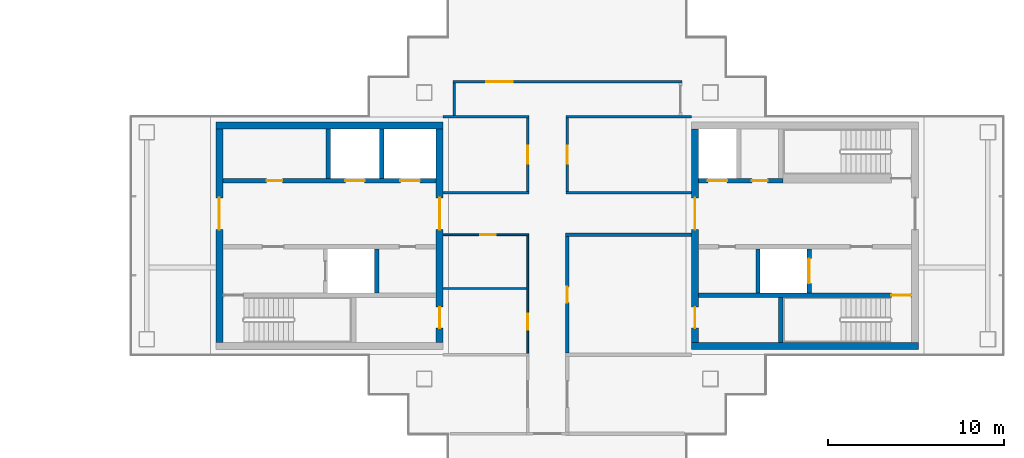
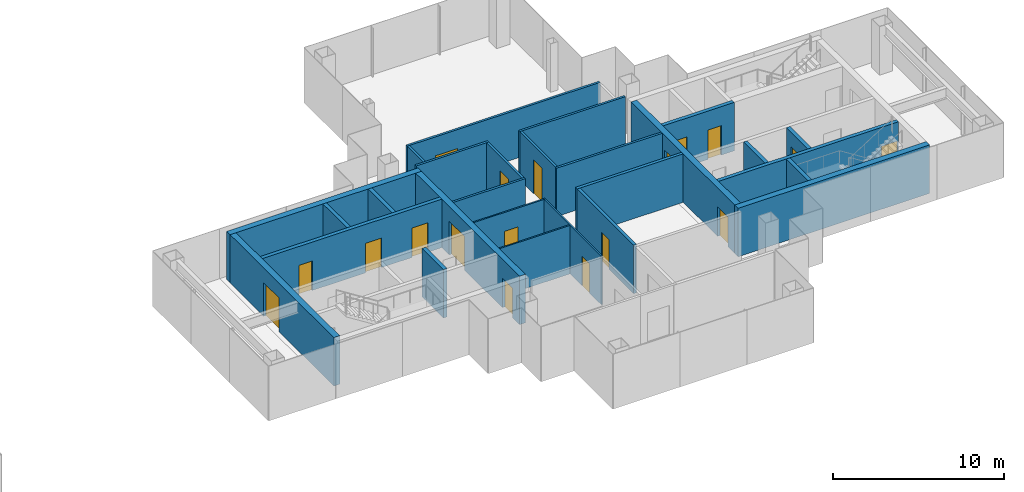
# One storey, part 11 of 15: 27 walls, 18 doors, 18 openings.
"""IFC4 building model written with IfcOpenShell, lengths in metres."""

from ifc_helpers import new_model, si_unit, direction, frame, frame_2d, origin, place, context, subcontext, project, spatial, rectangle, extrude, material, layer, layer_set, type_object, element, fill, save


model = new_model("IFC4")

# Units and contexts
model_context = context("Model", 3, precision=1e-05, world=origin(), true_north=direction((0.0, 1.0)))
body_context = subcontext(model_context, "Body", "Model", "MODEL_VIEW")
ifc_project = project(units=[si_unit("LENGTHUNIT", "METRE"), si_unit("AREAUNIT", "SQUARE_METRE"), si_unit("VOLUMEUNIT", "CUBIC_METRE"), si_unit("PLANEANGLEUNIT", "RADIAN"), si_unit("MASSUNIT", "GRAM", prefix="KILO")], contexts=[model_context])

# Site, building, storey
site_placement = place(None, origin())
site = spatial("IfcSite", under=ifc_project, at=site_placement, CompositionType="ELEMENT")
building_placement = place(site_placement, origin())
building = spatial("IfcBuilding", under=site, at=building_placement, Name="Shamsa Quay Exchange Towers", CompositionType="ELEMENT")
storey_placement = place(building_placement, frame((0.0, 0.0, 269.39990234375)))
storey = spatial("IfcBuildingStorey", under=building, at=storey_placement, Name="L65", CompositionType="ELEMENT", Elevation=269.39990234375)

# Wall
ifc_material_1 = material(Name="Concrete C60/75", Category="concrete")
ifc_layer_1 = layer(ifc_material_1, 0.39990234375)
ifc_layer_set_1 = layer_set([ifc_layer_1], Name="CORE WALL 400 C60/75")
wall_type_1 = type_object("IfcWallType", Name="CORE WALL 400 C60/75", PredefinedType="SHEAR", material=ifc_layer_set_1)
wall_1_placement = place(storey_placement, frame((13.800048828125, 6.25, 0.0)))
element("IfcWall", 1, at=wall_1_placement, inside=storey, type_object=wall_type_1, Name="Core wall T2A-R30-PN", PredefinedType="SHEAR", context=body_context, shape_type="SweptSolid", body=[
    extrude(rectangle(XDim=12.89990234375, YDim=0.39990234375, at=frame_2d((6.449951171875, 0.0))), origin(), (0.0, 0.0, 1.0), 3.4501953125),
])

# Wall, opening, door
wall_2_placement = place(storey_placement, frame((14.0, 6.050048828125, 0.0), z_axis=(0.0, 0.0, 1.0), x_axis=(0.0, -1.0, 0.0)))
wall_2 = element("IfcWall", 2, at=wall_2_placement, inside=storey, type_object=wall_type_1, Name="Core wall T2A-R30-PF", PredefinedType="SHEAR", context=body_context, shape_type="SweptSolid", body=[
    extrude(rectangle(XDim=12.10009765625, YDim=0.39990234375, at=frame_2d((6.050048828125, 0.0))), origin(), (0.0, 0.0, 1.0), 3.4501953125),
])
opening_1_placement = place(wall_2_placement, frame((3.89990234375, 0.0, 0.0)))
opening_1 = element("IfcOpeningElement", 3, at=opening_1_placement, cuts=wall_2, Name="Opening T2A-R30-LBD01", PredefinedType="OPENING", context=body_context, shape_type="SweptSolid", body=[
    extrude(rectangle(XDim=1.800048828125, YDim=2.39990234375, at=frame_2d((0.89990234375, 1.199951171875))), frame((0.0, 0.2099609375, 0.0), z_axis=(0.0, -1.0, 0.0), x_axis=(1.0, 0.0, 0.0)), (0.0, 0.0, 1.0), 0.419921875),
])
ifc_material_2 = material(Name="Steel, fire rated", Category="steel")
door_type_1 = type_object("IfcDoorType", Name="LIFT LOBBY DOOR PAIR 1800", OperationType="DOUBLE_DOOR_SINGLE_SWING", PredefinedType="DOOR", material=ifc_material_2)
door_1_placement = place(opening_1_placement, origin())
door_1 = element("IfcDoor", 4, at=door_1_placement, inside=storey, type_object=door_type_1, Name="T2A-R30-LBD01", OperationType="DOUBLE_DOOR_SINGLE_SWING", OverallHeight=2.39990234375, OverallWidth=1.800048828125, PredefinedType="DOOR", context=body_context, shape_type="SweptSolid", body=[
    extrude(rectangle(XDim=1.800048828125, YDim=2.39990234375, at=frame_2d((0.89990234375, 1.199951171875))), frame((0.0, 0.02490234375, 0.0), z_axis=(0.0, -1.0, 0.0), x_axis=(1.0, 0.0, 0.0)), (0.0, 0.0, 1.0), 0.050048828125),
])
fill(opening_1, door_1)

# Wall, openings, doors
wall_3_placement = place(storey_placement, frame((26.5, 6.050048828125, 0.0), z_axis=(0.0, 0.0, 1.0), x_axis=(0.0, -1.0, 0.0)))
wall_3 = element("IfcWall", 5, at=wall_3_placement, inside=storey, type_object=wall_type_1, Name="Core wall T2A-R30-PB", PredefinedType="SHEAR", context=body_context, shape_type="SweptSolid", body=[
    extrude(rectangle(XDim=12.10009765625, YDim=0.39990234375, at=frame_2d((6.050048828125, 0.0))), origin(), (0.0, 0.0, 1.0), 3.4501953125),
])
opening_2_placement = place(wall_3_placement, frame((10.10009765625, 0.0, 0.0)))
opening_2 = element("IfcOpeningElement", 6, at=opening_2_placement, cuts=wall_3, Name="Opening T2A-R30-RD02", PredefinedType="OPENING", context=body_context, shape_type="SweptSolid", body=[
    extrude(rectangle(XDim=1.199951171875, YDim=2.10009765625, at=frame_2d((0.60009765625, 1.050048828125))), frame((0.0, 0.2099609375, 0.0), z_axis=(0.0, -1.0, 0.0), x_axis=(1.0, 0.0, 0.0)), (0.0, 0.0, 1.0), 0.419921875),
])
opening_3_placement = place(wall_3_placement, frame((3.89990234375, 0.0, 0.0)))
opening_3 = element("IfcOpeningElement", 7, at=opening_3_placement, cuts=wall_3, Name="Opening T2A-R30-LBD03", PredefinedType="OPENING", context=body_context, shape_type="SweptSolid", body=[
    extrude(rectangle(XDim=1.800048828125, YDim=2.39990234375, at=frame_2d((0.89990234375, 1.199951171875))), frame((0.0, 0.2099609375, 0.0), z_axis=(0.0, -1.0, 0.0), x_axis=(1.0, 0.0, 0.0)), (0.0, 0.0, 1.0), 0.419921875),
])
door_2_placement = place(opening_3_placement, origin())
door_2 = element("IfcDoor", 8, at=door_2_placement, inside=storey, type_object=door_type_1, Name="T2A-R30-LBD03", OperationType="DOUBLE_DOOR_SINGLE_SWING", OverallHeight=2.39990234375, OverallWidth=1.800048828125, PredefinedType="DOOR", context=body_context, shape_type="SweptSolid", body=[
    extrude(rectangle(XDim=1.800048828125, YDim=2.39990234375, at=frame_2d((0.89990234375, 1.199951171875))), frame((0.0, 0.02490234375, 0.0), z_axis=(0.0, -1.0, 0.0), x_axis=(1.0, 0.0, 0.0)), (0.0, 0.0, 1.0), 0.050048828125),
])
fill(opening_3, door_2)
door_type_2 = type_object("IfcDoorType", Name="RISER ACCESS DOOR 1200", OperationType="SINGLE_SWING_LEFT", PredefinedType="DOOR", material=ifc_material_2)
door_3_placement = place(opening_2_placement, origin())
door_3 = element("IfcDoor", 9, at=door_3_placement, inside=storey, type_object=door_type_2, Name="T2A-R30-RD02", OperationType="SINGLE_SWING_RIGHT", OverallHeight=2.10009765625, OverallWidth=1.199951171875, PredefinedType="DOOR", context=body_context, shape_type="SweptSolid", body=[
    extrude(rectangle(XDim=1.199951171875, YDim=2.10009765625, at=frame_2d((0.60009765625, 1.050048828125))), frame((0.0, 0.02490234375, 0.0), z_axis=(0.0, -1.0, 0.0), x_axis=(1.0, 0.0, 0.0)), (0.0, 0.0, 1.0), 0.050048828125),
])
fill(opening_2, door_3)

# Wall
wall_4_placement = place(storey_placement, frame((53.699951171875, -6.25, 0.0), z_axis=(0.0, 0.0, 1.0), x_axis=(-1.0, 0.0, 0.0)))
element("IfcWall", 10, at=wall_4_placement, inside=storey, type_object=wall_type_1, Name="Core wall T2B-R30-PS", PredefinedType="SHEAR", context=body_context, shape_type="SweptSolid", body=[
    extrude(rectangle(XDim=12.89990234375, YDim=0.39990234375, at=frame_2d((6.449951171875, 0.0))), origin(), (0.0, 0.0, 1.0), 3.4501953125),
])

# Wall, openings, doors
wall_5_placement = place(storey_placement, frame((41.0, -6.050048828125, 0.0), z_axis=(0.0, 0.0, 1.0), x_axis=(0.0, 1.0, 0.0)))
wall_5 = element("IfcWall", 11, at=wall_5_placement, inside=storey, type_object=wall_type_1, Name="Core wall T2B-R30-PB", PredefinedType="SHEAR", context=body_context, shape_type="SweptSolid", body=[
    extrude(rectangle(XDim=12.10009765625, YDim=0.39990234375, at=frame_2d((6.050048828125, 0.0))), origin(), (0.0, 0.0, 1.0), 3.4501953125),
])
opening_4_placement = place(wall_5_placement, frame((0.800048828125, 0.0, 0.0)))
opening_4 = element("IfcOpeningElement", 12, at=opening_4_placement, cuts=wall_5, Name="Opening T2B-R30-RD02", PredefinedType="OPENING", context=body_context, shape_type="SweptSolid", body=[
    extrude(rectangle(XDim=1.199951171875, YDim=2.10009765625, at=frame_2d((0.60009765625, 1.050048828125))), frame((0.0, 0.2099609375, 0.0), z_axis=(0.0, -1.0, 0.0), x_axis=(1.0, 0.0, 0.0)), (0.0, 0.0, 1.0), 0.419921875),
])
opening_5_placement = place(wall_5_placement, frame((6.39990234375, 0.0, 0.0)))
opening_5 = element("IfcOpeningElement", 13, at=opening_5_placement, cuts=wall_5, Name="Opening T2B-R30-LBD03", PredefinedType="OPENING", context=body_context, shape_type="SweptSolid", body=[
    extrude(rectangle(XDim=1.800048828125, YDim=2.39990234375, at=frame_2d((0.89990234375, 1.199951171875))), frame((0.0, 0.2099609375, 0.0), z_axis=(0.0, -1.0, 0.0), x_axis=(1.0, 0.0, 0.0)), (0.0, 0.0, 1.0), 0.419921875),
])
door_4_placement = place(opening_5_placement, origin())
door_4 = element("IfcDoor", 14, at=door_4_placement, inside=storey, type_object=door_type_1, Name="T2B-R30-LBD03", OperationType="DOUBLE_DOOR_SINGLE_SWING", OverallHeight=2.39990234375, OverallWidth=1.800048828125, PredefinedType="DOOR", context=body_context, shape_type="SweptSolid", body=[
    extrude(rectangle(XDim=1.800048828125, YDim=2.39990234375, at=frame_2d((0.89990234375, 1.199951171875))), frame((0.0, 0.02490234375, 0.0), z_axis=(0.0, -1.0, 0.0), x_axis=(1.0, 0.0, 0.0)), (0.0, 0.0, 1.0), 0.050048828125),
])
fill(opening_5, door_4)
door_5_placement = place(opening_4_placement, origin())
door_5 = element("IfcDoor", 15, at=door_5_placement, inside=storey, type_object=door_type_2, Name="T2B-R30-RD02", OperationType="SINGLE_SWING_LEFT", OverallHeight=2.10009765625, OverallWidth=1.199951171875, PredefinedType="DOOR", context=body_context, shape_type="SweptSolid", body=[
    extrude(rectangle(XDim=1.199951171875, YDim=2.10009765625, at=frame_2d((0.60009765625, 1.050048828125))), frame((0.0, 0.02490234375, 0.0), z_axis=(0.0, -1.0, 0.0), x_axis=(1.0, 0.0, 0.0)), (0.0, 0.0, 1.0), 0.050048828125),
])
fill(opening_4, door_5)

# Wall, opening, door
ifc_material_3 = material(Name="Gypsum board partition on metal studs")
ifc_layer_2 = layer(ifc_material_3, 0.10009765625)
ifc_layer_set_2 = layer_set([ifc_layer_2], Name="Partition 100 mm NOT RATED")
wall_type_2 = type_object("IfcWallType", Name="Partition 100 mm NOT RATED", PredefinedType="PARTITIONING", material=ifc_layer_set_2)
wall_6_placement = place(storey_placement, frame((31.5, -6.675048828125, 0.0), z_axis=(0.0, 0.0, 1.0), x_axis=(0.0, 1.0, 0.0)))
wall_6 = element("IfcWall", 16, at=wall_6_placement, inside=storey, type_object=wall_type_2, Name="Partition T2-R30-W07", PredefinedType="PARTITIONING", context=body_context, shape_type="SweptSolid", body=[
    extrude(rectangle(XDim=6.6748046875, YDim=0.10009765625, at=frame_2d((3.33740234375, 0.0))), origin(), (0.0, 0.0, 1.0), 3.4501953125),
])
opening_6_placement = place(wall_6_placement, frame((1.35009765625, 0.0, 0.0)))
opening_6 = element("IfcOpeningElement", 17, at=opening_6_placement, cuts=wall_6, Name="Opening T2-R30-D07", PredefinedType="OPENING", context=body_context, shape_type="SweptSolid", body=[
    extrude(rectangle(XDim=0.89990234375, YDim=2.10009765625, at=frame_2d((0.449951171875, 1.050048828125))), frame((0.0, 0.06005859375, 0.0), z_axis=(0.0, -1.0, 0.0), x_axis=(1.0, 0.0, 0.0)), (0.0, 0.0, 1.0), 0.1201171875),
])
ifc_material_4 = material(Name="Timber door leaf in a metal frame", Category="wood")
door_type_3 = type_object("IfcDoorType", Name="Door 900x2100 NOT RATED", OperationType="NOTDEFINED", PredefinedType="DOOR", material=ifc_material_4)
door_6_placement = place(opening_6_placement, origin())
door_6 = element("IfcDoor", 18, at=door_6_placement, inside=storey, type_object=door_type_3, Name="Door T2-R30-D07", OperationType="SINGLE_SWING_LEFT", OverallHeight=2.10009765625, OverallWidth=0.89990234375, PredefinedType="DOOR", context=body_context, shape_type="SweptSolid", body=[
    extrude(rectangle(XDim=0.89990234375, YDim=2.10009765625, at=frame_2d((0.449951171875, 1.050048828125))), frame((0.0, 0.02490234375, 0.0), z_axis=(0.0, -1.0, 0.0), x_axis=(1.0, 0.0, 0.0)), (0.0, 0.0, 1.0), 0.050048828125),
])
fill(opening_6, door_6)

wall_7_placement = place(storey_placement, frame((31.550048828125, 0.0498046875, 0.0), z_axis=(0.0, 0.0, 1.0), x_axis=(-1.0, 0.0, 0.0)))
wall_7 = element("IfcWall", 19, at=wall_7_placement, inside=storey, type_object=wall_type_2, Name="Partition T2-R30-W08", PredefinedType="PARTITIONING", context=body_context, shape_type="SweptSolid", body=[
    extrude(rectangle(XDim=4.85009765625, YDim=0.10009765625, at=frame_2d((2.425048828125, 0.0))), origin(), (0.0, 0.0, 1.0), 3.4501953125),
])
opening_7_placement = place(wall_7_placement, frame((1.85009765625, 0.0, 0.0)))
opening_7 = element("IfcOpeningElement", 20, at=opening_7_placement, cuts=wall_7, Name="Opening T2-R30-D10", PredefinedType="OPENING", context=body_context, shape_type="SweptSolid", body=[
    extrude(rectangle(XDim=0.89990234375, YDim=2.10009765625, at=frame_2d((0.449951171875, 1.050048828125))), frame((0.0, 0.06005859375, 0.0), z_axis=(0.0, -1.0, 0.0), x_axis=(1.0, 0.0, 0.0)), (0.0, 0.0, 1.0), 0.1201171875),
])
door_7_placement = place(opening_7_placement, origin())
door_7 = element("IfcDoor", 21, at=door_7_placement, inside=storey, type_object=door_type_3, Name="Door T2-R30-D10", OperationType="SINGLE_SWING_RIGHT", OverallHeight=2.10009765625, OverallWidth=0.89990234375, PredefinedType="DOOR", context=body_context, shape_type="SweptSolid", body=[
    extrude(rectangle(XDim=0.89990234375, YDim=2.10009765625, at=frame_2d((0.449951171875, 1.050048828125))), frame((0.0, 0.02490234375, 0.0), z_axis=(0.0, -1.0, 0.0), x_axis=(1.0, 0.0, 0.0)), (0.0, 0.0, 1.0), 0.050048828125),
])
fill(opening_7, door_7)

# Walls
wall_8_placement = place(storey_placement, frame((31.449951171875, -3.0, 0.0), z_axis=(0.0, 0.0, 1.0), x_axis=(-1.0, 0.0, 0.0)))
element("IfcWall", 22, at=wall_8_placement, inside=storey, type_object=wall_type_2, Name="Partition T2-R30-W17", PredefinedType="PARTITIONING", context=body_context, shape_type="SweptSolid", body=[
    extrude(rectangle(XDim=4.75, YDim=0.10009765625, at=frame_2d((2.375, 0.0))), origin(), (0.0, 0.0, 1.0), 3.4501953125),
])
ifc_layer_3 = layer(ifc_material_3, 0.14990234375)
ifc_layer_set_3 = layer_set([ifc_layer_3], Name="Partition 150 mm EI 60")
wall_type_3 = type_object("IfcWallType", Name="Partition 150 mm EI 60", PredefinedType="PARTITIONING", material=ifc_layer_set_3)
wall_9_placement = place(storey_placement, frame((31.574951171875, 6.75, 0.0), z_axis=(0.0, 0.0, 1.0), x_axis=(-1.0, 0.0, 0.0)))
element("IfcWall", 23, at=wall_9_placement, inside=storey, type_object=wall_type_3, Name="Partition T2-R30-W01", PredefinedType="PARTITIONING", context=body_context, shape_type="SweptSolid", body=[
    extrude(rectangle(XDim=4.875, YDim=0.14990234375, at=frame_2d((2.4375, 0.0))), origin(), (0.0, 0.0, 1.0), 3.4501953125),
])
wall_10_placement = place(storey_placement, frame((40.800048828125, 6.75, 0.0), z_axis=(0.0, 0.0, 1.0), x_axis=(-1.0, 0.0, 0.0)))
element("IfcWall", 24, at=wall_10_placement, inside=storey, type_object=wall_type_3, Name="Partition T2-R30-W02", PredefinedType="PARTITIONING", context=body_context, shape_type="SweptSolid", body=[
    extrude(rectangle(XDim=7.125, YDim=0.14990234375, at=frame_2d((3.5625, 0.0))), origin(), (0.0, 0.0, 1.0), 3.4501953125),
])

# Wall, opening, door
wall_11_placement = place(storey_placement, frame((31.5, 2.525146484375, 0.0), z_axis=(0.0, 0.0, 1.0), x_axis=(0.0, 1.0, 0.0)))
wall_11 = element("IfcWall", 25, at=wall_11_placement, inside=storey, type_object=wall_type_3, Name="Partition T2-R30-W03", PredefinedType="PARTITIONING", context=body_context, shape_type="SweptSolid", body=[
    extrude(rectangle(XDim=4.14990234375, YDim=0.14990234375, at=frame_2d((2.074951171875, 0.0))), origin(), (0.0, 0.0, 1.0), 3.4501953125),
])
opening_8_placement = place(wall_11_placement, frame((1.574951171875, 0.0, 0.0)))
opening_8 = element("IfcOpeningElement", 26, at=opening_8_placement, cuts=wall_11, Name="Opening T2-R30-D08", PredefinedType="OPENING", context=body_context, shape_type="SweptSolid", body=[
    extrude(rectangle(XDim=1.0, YDim=2.39990234375, at=frame_2d((0.5, 1.199951171875))), frame((0.0, 0.0849609375, 0.0), z_axis=(0.0, -1.0, 0.0), x_axis=(1.0, 0.0, 0.0)), (0.0, 0.0, 1.0), 0.169921875),
])
door_type_4 = type_object("IfcDoorType", Name="Door 1000x2400 FD30S", OperationType="NOTDEFINED", PredefinedType="DOOR", material=ifc_material_4)
door_8_placement = place(opening_8_placement, origin())
door_8 = element("IfcDoor", 27, at=door_8_placement, inside=storey, type_object=door_type_4, Name="Door T2-R30-D08", OperationType="SINGLE_SWING_LEFT", OverallHeight=2.39990234375, OverallWidth=1.0, PredefinedType="DOOR", context=body_context, shape_type="SweptSolid", body=[
    extrude(rectangle(XDim=1.0, YDim=2.39990234375, at=frame_2d((0.5, 1.199951171875))), frame((0.0, 0.02490234375, 0.0), z_axis=(0.0, -1.0, 0.0), x_axis=(1.0, 0.0, 0.0)), (0.0, 0.0, 1.0), 0.050048828125),
])
fill(opening_8, door_8)

# Walls
wall_12_placement = place(storey_placement, frame((33.675048828125, 2.4501953125, 0.0)))
element("IfcWall", 28, at=wall_12_placement, inside=storey, type_object=wall_type_3, Name="Partition T2-R30-W05", PredefinedType="PARTITIONING", context=body_context, shape_type="SweptSolid", body=[
    extrude(rectangle(XDim=7.125, YDim=0.14990234375, at=frame_2d((3.5625, 0.0))), origin(), (0.0, 0.0, 1.0), 3.4501953125),
])
wall_13_placement = place(storey_placement, frame((26.699951171875, 2.4501953125, 0.0)))
element("IfcWall", 29, at=wall_13_placement, inside=storey, type_object=wall_type_3, Name="Partition T2-R30-W06", PredefinedType="PARTITIONING", context=body_context, shape_type="SweptSolid", body=[
    extrude(rectangle(XDim=4.875, YDim=0.14990234375, at=frame_2d((2.4375, 0.0))), origin(), (0.0, 0.0, 1.0), 3.4501953125),
])

# Wall, opening, door
wall_14_placement = place(storey_placement, frame((33.75, 6.675048828125, 0.0), z_axis=(0.0, 0.0, 1.0), x_axis=(0.0, -1.0, 0.0)))
wall_14 = element("IfcWall", 30, at=wall_14_placement, inside=storey, type_object=wall_type_3, Name="Partition T2-R30-W09", PredefinedType="PARTITIONING", context=body_context, shape_type="SweptSolid", body=[
    extrude(rectangle(XDim=4.14990234375, YDim=0.14990234375, at=frame_2d((2.074951171875, 0.0))), origin(), (0.0, 0.0, 1.0), 3.4501953125),
])
opening_9_placement = place(wall_14_placement, frame((1.574951171875, 0.0, 0.0)))
opening_9 = element("IfcOpeningElement", 31, at=opening_9_placement, cuts=wall_14, Name="Opening T2-R30-D04", PredefinedType="OPENING", context=body_context, shape_type="SweptSolid", body=[
    extrude(rectangle(XDim=1.0, YDim=2.39990234375, at=frame_2d((0.5, 1.199951171875))), frame((0.0, 0.0849609375, 0.0), z_axis=(0.0, -1.0, 0.0), x_axis=(1.0, 0.0, 0.0)), (0.0, 0.0, 1.0), 0.169921875),
])
door_9_placement = place(opening_9_placement, origin())
door_9 = element("IfcDoor", 32, at=door_9_placement, inside=storey, type_object=door_type_4, Name="Door T2-R30-D04", OperationType="SINGLE_SWING_RIGHT", OverallHeight=2.39990234375, OverallWidth=1.0, PredefinedType="DOOR", context=body_context, shape_type="SweptSolid", body=[
    extrude(rectangle(XDim=1.0, YDim=2.39990234375, at=frame_2d((0.5, 1.199951171875))), frame((0.0, 0.02490234375, 0.0), z_axis=(0.0, -1.0, 0.0), x_axis=(1.0, 0.0, 0.0)), (0.0, 0.0, 1.0), 0.050048828125),
])
fill(opening_9, door_9)

wall_15_placement = place(storey_placement, frame((40.249755859375, 8.75, 0.0), z_axis=(0.0, 0.0, 1.0), x_axis=(-1.0, 0.0, 0.0)))
wall_15 = element("IfcWall", 33, at=wall_15_placement, inside=storey, type_object=wall_type_3, Name="Partition T2-R30-W13", PredefinedType="PARTITIONING", context=body_context, shape_type="SweptSolid", body=[
    extrude(rectangle(XDim=12.99951171875, YDim=0.14990234375, at=frame_2d((6.499755859375, 0.0))), origin(), (0.0, 0.0, 1.0), 3.4501953125),
])
opening_10_placement = place(wall_15_placement, frame((9.604736328125, 0.0, 0.0)))
opening_10 = element("IfcOpeningElement", 34, at=opening_10_placement, cuts=wall_15, Name="Opening T2-R30-D09", PredefinedType="OPENING", context=body_context, shape_type="SweptSolid", body=[
    extrude(rectangle(XDim=1.5, YDim=2.10009765625, at=frame_2d((0.75, 1.050048828125))), frame((0.0, 0.0849609375, 0.0), z_axis=(0.0, -1.0, 0.0), x_axis=(1.0, 0.0, 0.0)), (0.0, 0.0, 1.0), 0.169921875),
])
door_type_5 = type_object("IfcDoorType", Name="Door 1500x2100 FD30S pair", OperationType="NOTDEFINED", PredefinedType="DOOR", material=ifc_material_4)
door_10_placement = place(opening_10_placement, origin())
door_10 = element("IfcDoor", 35, at=door_10_placement, inside=storey, type_object=door_type_5, Name="Door T2-R30-D09", OperationType="DOUBLE_DOOR_SINGLE_SWING", OverallHeight=2.10009765625, OverallWidth=1.5, PredefinedType="DOOR", context=body_context, shape_type="SweptSolid", body=[
    extrude(rectangle(XDim=1.5, YDim=2.10009765625, at=frame_2d((0.75, 1.050048828125))), frame((0.0, 0.02490234375, 0.0), z_axis=(0.0, -1.0, 0.0), x_axis=(1.0, 0.0, 0.0)), (0.0, 0.0, 1.0), 0.050048828125),
])
fill(opening_10, door_10)

# Wall
wall_16_placement = place(storey_placement, frame((27.3251953125, 8.675048828125, 0.0), z_axis=(0.0, 0.0, 1.0), x_axis=(0.0, -1.0, 0.0)))
element("IfcWall", 36, at=wall_16_placement, inside=storey, type_object=wall_type_3, Name="Partition T2-R30-W14", PredefinedType="PARTITIONING", context=body_context, shape_type="SweptSolid", body=[
    extrude(rectangle(XDim=1.85009765625, YDim=0.14990234375, at=frame_2d((0.925048828125, 0.0))), origin(), (0.0, 0.0, 1.0), 3.4501953125),
])

# Wall, opening, door
ifc_layer_4 = layer(ifc_material_3, 0.199951171875)
ifc_layer_set_4 = layer_set([ifc_layer_4], Name="Partition 200 mm EI 120")
wall_type_4 = type_object("IfcWallType", Name="Partition 200 mm EI 120", PredefinedType="PARTITIONING", material=ifc_layer_set_4)
wall_17_placement = place(storey_placement, frame((33.75, -0.05029296875, 0.0), z_axis=(0.0, 0.0, 1.0), x_axis=(0.0, -1.0, 0.0)))
wall_17 = element("IfcWall", 37, at=wall_17_placement, inside=storey, type_object=wall_type_4, Name="Partition T2-R30-W10", PredefinedType="PARTITIONING", context=body_context, shape_type="SweptSolid", body=[
    extrude(rectangle(XDim=6.599609375, YDim=0.199951171875, at=frame_2d((3.2998046875, 0.0))), origin(), (0.0, 0.0, 1.0), 3.4501953125),
])
opening_11_placement = place(wall_17_placement, frame((2.849853515625, 0.0, 0.0)))
opening_11 = element("IfcOpeningElement", 38, at=opening_11_placement, cuts=wall_17, Name="Opening T2-R30-D03", PredefinedType="OPENING", context=body_context, shape_type="SweptSolid", body=[
    extrude(rectangle(XDim=0.89990234375, YDim=2.10009765625, at=frame_2d((0.449951171875, 1.050048828125))), frame((0.0, 0.10986328125, 0.0), z_axis=(0.0, -1.0, 0.0), x_axis=(1.0, 0.0, 0.0)), (0.0, 0.0, 1.0), 0.219970703125),
])
door_type_6 = type_object("IfcDoorType", Name="Door 900x2100 FD60", OperationType="NOTDEFINED", PredefinedType="DOOR", material=ifc_material_4)
door_11_placement = place(opening_11_placement, origin())
door_11 = element("IfcDoor", 39, at=door_11_placement, inside=storey, type_object=door_type_6, Name="Door T2-R30-D03", OperationType="SINGLE_SWING_LEFT", OverallHeight=2.10009765625, OverallWidth=0.89990234375, PredefinedType="DOOR", context=body_context, shape_type="SweptSolid", body=[
    extrude(rectangle(XDim=0.89990234375, YDim=2.10009765625, at=frame_2d((0.449951171875, 1.050048828125))), frame((0.0, 0.02490234375, 0.0), z_axis=(0.0, -1.0, 0.0), x_axis=(1.0, 0.0, 0.0)), (0.0, 0.0, 1.0), 0.050048828125),
])
fill(opening_11, door_11)

# Walls
wall_18_placement = place(storey_placement, frame((40.800048828125, 0.0498046875, 0.0), z_axis=(0.0, 0.0, 1.0), x_axis=(-1.0, 0.0, 0.0)))
element("IfcWall", 40, at=wall_18_placement, inside=storey, type_object=wall_type_4, Name="Partition T2-R30-W11", PredefinedType="PARTITIONING", context=body_context, shape_type="SweptSolid", body=[
    extrude(rectangle(XDim=7.150146484375, YDim=0.199951171875, at=frame_2d((3.5751953125, 0.0))), origin(), (0.0, 0.0, 1.0), 3.4501953125),
])
ifc_material_5 = material(Name="Concrete C50/60", Category="concrete")
ifc_layer_5 = layer(ifc_material_5, 0.25)
ifc_layer_set_5 = layer_set([ifc_layer_5], Name="SHAFT WALL 250 C50/60")
wall_type_5 = type_object("IfcWallType", Name="SHAFT WALL 250 C50/60", PredefinedType="SHEAR", material=ifc_layer_set_5)
wall_19_placement = place(storey_placement, frame((22.925048828125, -3.25, 0.0), z_axis=(0.0, 0.0, 1.0), x_axis=(0.0, 1.0, 0.0)))
element("IfcWall", 41, at=wall_19_placement, inside=storey, type_object=wall_type_5, Name="Shaft wall T2A-R30-FFB", PredefinedType="SHEAR", context=body_context, shape_type="SweptSolid", body=[
    extrude(rectangle(XDim=2.5, YDim=0.25, at=frame_2d((1.25, 0.0))), origin(), (0.0, 0.0, 1.0), 3.4501953125),
])

# Wall, openings, doors
wall_20_placement = place(storey_placement, frame((14.199951171875, 3.125, 0.0)))
wall_20 = element("IfcWall", 42, at=wall_20_placement, inside=storey, type_object=wall_type_5, Name="Shaft wall T2A-R30-N", PredefinedType="SHEAR", context=body_context, shape_type="SweptSolid", body=[
    extrude(rectangle(XDim=12.10009765625, YDim=0.25, at=frame_2d((6.050048828125, 0.0))), origin(), (0.0, 0.0, 1.0), 3.4501953125),
])
opening_12_placement = place(wall_20_placement, frame((6.949951171875, 0.0, 0.0)))
opening_12 = element("IfcOpeningElement", 43, at=opening_12_placement, cuts=wall_20, Name="Opening T2A-R30-LD08", PredefinedType="OPENING", context=body_context, shape_type="SweptSolid", body=[
    extrude(rectangle(XDim=1.10009765625, YDim=2.10009765625, at=frame_2d((0.550048828125, 1.050048828125))), frame((0.0, 0.135009765625, 0.0), z_axis=(0.0, -1.0, 0.0), x_axis=(1.0, 0.0, 0.0)), (0.0, 0.0, 1.0), 0.27001953125),
])
opening_13_placement = place(wall_20_placement, frame((10.074951171875, 0.0, 0.0)))
opening_13 = element("IfcOpeningElement", 44, at=opening_13_placement, cuts=wall_20, Name="Opening T2A-R30-LD09", PredefinedType="OPENING", context=body_context, shape_type="SweptSolid", body=[
    extrude(rectangle(XDim=1.10009765625, YDim=2.10009765625, at=frame_2d((0.550048828125, 1.050048828125))), frame((0.0, 0.135009765625, 0.0), z_axis=(0.0, -1.0, 0.0), x_axis=(1.0, 0.0, 0.0)), (0.0, 0.0, 1.0), 0.27001953125),
])
opening_14_placement = place(wall_20_placement, frame((2.47509765625, 0.0, 0.0)))
opening_14 = element("IfcOpeningElement", 45, at=opening_14_placement, cuts=wall_20, Name="Opening T2A-R30-SV10", PredefinedType="OPENING", context=body_context, shape_type="SweptSolid", body=[
    extrude(rectangle(XDim=0.89990234375, YDim=2.10009765625, at=frame_2d((0.449951171875, 1.050048828125))), frame((0.0, 0.135009765625, 0.0), z_axis=(0.0, -1.0, 0.0), x_axis=(1.0, 0.0, 0.0)), (0.0, 0.0, 1.0), 0.27001953125),
])
door_type_7 = type_object("IfcDoorType", Name="LANDING DOOR 1100", OperationType="SLIDING_TO_LEFT", PredefinedType="DOOR", material=ifc_material_2)
door_12_placement = place(opening_12_placement, origin())
door_12 = element("IfcDoor", 46, at=door_12_placement, inside=storey, type_object=door_type_7, Name="T2A-R30-LD08", OperationType="SLIDING_TO_LEFT", OverallHeight=2.10009765625, OverallWidth=1.10009765625, PredefinedType="DOOR", context=body_context, shape_type="SweptSolid", body=[
    extrude(rectangle(XDim=1.10009765625, YDim=2.10009765625, at=frame_2d((0.550048828125, 1.050048828125))), frame((0.0, 0.02490234375, 0.0), z_axis=(0.0, -1.0, 0.0), x_axis=(1.0, 0.0, 0.0)), (0.0, 0.0, 1.0), 0.050048828125),
])
fill(opening_12, door_12)
door_13_placement = place(opening_13_placement, origin())
door_13 = element("IfcDoor", 47, at=door_13_placement, inside=storey, type_object=door_type_7, Name="T2A-R30-LD09", OperationType="SLIDING_TO_LEFT", OverallHeight=2.10009765625, OverallWidth=1.10009765625, PredefinedType="DOOR", context=body_context, shape_type="SweptSolid", body=[
    extrude(rectangle(XDim=1.10009765625, YDim=2.10009765625, at=frame_2d((0.550048828125, 1.050048828125))), frame((0.0, 0.02490234375, 0.0), z_axis=(0.0, -1.0, 0.0), x_axis=(1.0, 0.0, 0.0)), (0.0, 0.0, 1.0), 0.050048828125),
])
fill(opening_13, door_13)
door_type_8 = type_object("IfcDoorType", Name="SERVICE ROOM DOOR 900", OperationType="SINGLE_SWING_LEFT", PredefinedType="DOOR", material=ifc_material_2)
door_14_placement = place(opening_14_placement, origin())
door_14 = element("IfcDoor", 48, at=door_14_placement, inside=storey, type_object=door_type_8, Name="T2A-R30-SV10", OperationType="SINGLE_SWING_LEFT", OverallHeight=2.10009765625, OverallWidth=0.89990234375, PredefinedType="DOOR", context=body_context, shape_type="SweptSolid", body=[
    extrude(rectangle(XDim=0.89990234375, YDim=2.10009765625, at=frame_2d((0.449951171875, 1.050048828125))), frame((0.0, 0.02490234375, 0.0), z_axis=(0.0, -1.0, 0.0), x_axis=(1.0, 0.0, 0.0)), (0.0, 0.0, 1.0), 0.050048828125),
])
fill(opening_14, door_14)

# Walls
for number, where, z_axis, x_axis, name in (
    (49, (20.175048828125, 3.25, 0.0), (0.0, 0.0, 1.0), (0.0, 1.0, 0.0), "Shaft wall T2A-R30-D1"),
    (50, (23.22509765625, 3.25, 0.0), (0.0, 0.0, 1.0), (0.0, 1.0, 0.0), "Shaft wall T2A-R30-D2"),
):
    element("IfcWall", number, at=place(storey_placement, frame(where, z_axis=z_axis, x_axis=x_axis)), inside=storey, type_object=wall_type_5, Name=name, PredefinedType="SHEAR", context=body_context, shape_type="SweptSolid", body=[
        extrude(rectangle(XDim=2.800048828125, YDim=0.25, at=frame_2d((1.39990234375, 0.0))), origin(), (0.0, 0.0, 1.0), 3.4501953125),
    ])

# Wall, opening, door
wall_21_placement = place(storey_placement, frame((53.300048828125, -3.375, 0.0), z_axis=(0.0, 0.0, 1.0), x_axis=(-1.0, 0.0, 0.0)))
wall_21 = element("IfcWall", 51, at=wall_21_placement, inside=storey, type_object=wall_type_5, Name="Shaft wall T2B-R30-STL", PredefinedType="SHEAR", context=body_context, shape_type="SweptSolid", body=[
    extrude(rectangle(XDim=12.10009765625, YDim=0.25, at=frame_2d((6.050048828125, 0.0))), origin(), (0.0, 0.0, 1.0), 3.4501953125),
])
opening_15_placement = place(wall_21_placement, frame((0.050048828125, 0.0, 0.0)))
opening_15 = element("IfcOpeningElement", 52, at=opening_15_placement, cuts=wall_21, Name="Opening T2B-R30-SD04", PredefinedType="OPENING", context=body_context, shape_type="SweptSolid", body=[
    extrude(rectangle(XDim=1.10009765625, YDim=2.10009765625, at=frame_2d((0.550048828125, 1.050048828125))), frame((0.0, 0.135009765625, 0.0), z_axis=(0.0, -1.0, 0.0), x_axis=(1.0, 0.0, 0.0)), (0.0, 0.0, 1.0), 0.27001953125),
])
door_type_9 = type_object("IfcDoorType", Name="STAIR DOOR 1100", OperationType="SINGLE_SWING_LEFT", PredefinedType="DOOR", material=ifc_material_2)
door_15_placement = place(opening_15_placement, origin())
door_15 = element("IfcDoor", 53, at=door_15_placement, inside=storey, type_object=door_type_9, Name="T2B-R30-SD04", OperationType="SINGLE_SWING_LEFT", OverallHeight=2.10009765625, OverallWidth=1.10009765625, PredefinedType="DOOR", context=body_context, shape_type="SweptSolid", body=[
    extrude(rectangle(XDim=1.10009765625, YDim=2.10009765625, at=frame_2d((0.550048828125, 1.050048828125))), frame((0.0, 0.02490234375, 0.0), z_axis=(0.0, -1.0, 0.0), x_axis=(1.0, 0.0, 0.0)), (0.0, 0.0, 1.0), 0.050048828125),
])
fill(opening_15, door_15)

# Wall
wall_22_placement = place(storey_placement, frame((45.875, -6.050048828125, 0.0), z_axis=(0.0, 0.0, 1.0), x_axis=(0.0, 1.0, 0.0)))
element("IfcWall", 54, at=wall_22_placement, inside=storey, type_object=wall_type_5, Name="Shaft wall T2B-R30-STF", PredefinedType="SHEAR", context=body_context, shape_type="SweptSolid", body=[
    extrude(rectangle(XDim=2.550048828125, YDim=0.25, at=frame_2d((1.27490234375, 0.0))), origin(), (0.0, 0.0, 1.0), 3.4501953125),
])

# Wall, opening, door
wall_23_placement = place(storey_placement, frame((47.47509765625, -3.25, 0.0), z_axis=(0.0, 0.0, 1.0), x_axis=(0.0, 1.0, 0.0)))
wall_23 = element("IfcWall", 55, at=wall_23_placement, inside=storey, type_object=wall_type_5, Name="Shaft wall T2B-R30-FFF", PredefinedType="SHEAR", context=body_context, shape_type="SweptSolid", body=[
    extrude(rectangle(XDim=2.5, YDim=0.25, at=frame_2d((1.25, 0.0))), origin(), (0.0, 0.0, 1.0), 3.4501953125),
])
opening_16_placement = place(wall_23_placement, frame((0.550048828125, 0.0, 0.0)))
opening_16 = element("IfcOpeningElement", 56, at=opening_16_placement, cuts=wall_23, Name="Opening T2B-R30-LDG07", PredefinedType="OPENING", context=body_context, shape_type="SweptSolid", body=[
    extrude(rectangle(XDim=1.39990234375, YDim=2.39990234375, at=frame_2d((0.699951171875, 1.199951171875))), frame((0.0, 0.135009765625, 0.0), z_axis=(0.0, -1.0, 0.0), x_axis=(1.0, 0.0, 0.0)), (0.0, 0.0, 1.0), 0.27001953125),
])
door_type_10 = type_object("IfcDoorType", Name="GOODS LIFT LANDING DOOR 1400", OperationType="SLIDING_TO_LEFT", PredefinedType="DOOR", material=ifc_material_2)
door_16_placement = place(opening_16_placement, origin())
door_16 = element("IfcDoor", 57, at=door_16_placement, inside=storey, type_object=door_type_10, Name="T2B-R30-LDG07", OperationType="SLIDING_TO_LEFT", OverallHeight=2.39990234375, OverallWidth=1.39990234375, PredefinedType="DOOR", context=body_context, shape_type="SweptSolid", body=[
    extrude(rectangle(XDim=1.39990234375, YDim=2.39990234375, at=frame_2d((0.699951171875, 1.199951171875))), frame((0.0, 0.02490234375, 0.0), z_axis=(0.0, -1.0, 0.0), x_axis=(1.0, 0.0, 0.0)), (0.0, 0.0, 1.0), 0.050048828125),
])
fill(opening_16, door_16)

# Wall
wall_24_placement = place(storey_placement, frame((44.574951171875, -3.25, 0.0), z_axis=(0.0, 0.0, 1.0), x_axis=(0.0, 1.0, 0.0)))
element("IfcWall", 58, at=wall_24_placement, inside=storey, type_object=wall_type_5, Name="Shaft wall T2B-R30-FFB", PredefinedType="SHEAR", context=body_context, shape_type="SweptSolid", body=[
    extrude(rectangle(XDim=2.5, YDim=0.25, at=frame_2d((1.25, 0.0))), origin(), (0.0, 0.0, 1.0), 3.4501953125),
])

# Wall, openings, doors
wall_25_placement = place(storey_placement, frame((41.199951171875, 3.125, 0.0)))
wall_25 = element("IfcWall", 59, at=wall_25_placement, inside=storey, type_object=wall_type_5, Name="Shaft wall T2B-R30-N2", PredefinedType="SHEAR", context=body_context, shape_type="SweptSolid", body=[
    extrude(rectangle(XDim=4.800048828125, YDim=0.25, at=frame_2d((2.39990234375, 0.0))), origin(), (0.0, 0.0, 1.0), 3.4501953125),
])
opening_17_placement = place(wall_25_placement, frame((0.52490234375, 0.0, 0.0)))
opening_17 = element("IfcOpeningElement", 60, at=opening_17_placement, cuts=wall_25, Name="Opening T2B-R30-LD09", PredefinedType="OPENING", context=body_context, shape_type="SweptSolid", body=[
    extrude(rectangle(XDim=1.10009765625, YDim=2.10009765625, at=frame_2d((0.550048828125, 1.050048828125))), frame((0.0, 0.135009765625, 0.0), z_axis=(0.0, -1.0, 0.0), x_axis=(1.0, 0.0, 0.0)), (0.0, 0.0, 1.0), 0.27001953125),
])
opening_18_placement = place(wall_25_placement, frame((3.02490234375, 0.0, 0.0)))
opening_18 = element("IfcOpeningElement", 61, at=opening_18_placement, cuts=wall_25, Name="Opening T2B-R30-SV10", PredefinedType="OPENING", context=body_context, shape_type="SweptSolid", body=[
    extrude(rectangle(XDim=0.89990234375, YDim=2.10009765625, at=frame_2d((0.449951171875, 1.050048828125))), frame((0.0, 0.135009765625, 0.0), z_axis=(0.0, -1.0, 0.0), x_axis=(1.0, 0.0, 0.0)), (0.0, 0.0, 1.0), 0.27001953125),
])
door_17_placement = place(opening_17_placement, origin())
door_17 = element("IfcDoor", 62, at=door_17_placement, inside=storey, type_object=door_type_7, Name="T2B-R30-LD09", OperationType="SLIDING_TO_LEFT", OverallHeight=2.10009765625, OverallWidth=1.10009765625, PredefinedType="DOOR", context=body_context, shape_type="SweptSolid", body=[
    extrude(rectangle(XDim=1.10009765625, YDim=2.10009765625, at=frame_2d((0.550048828125, 1.050048828125))), frame((0.0, 0.02490234375, 0.0), z_axis=(0.0, -1.0, 0.0), x_axis=(1.0, 0.0, 0.0)), (0.0, 0.0, 1.0), 0.050048828125),
])
fill(opening_17, door_17)
door_18_placement = place(opening_18_placement, origin())
door_18 = element("IfcDoor", 63, at=door_18_placement, inside=storey, type_object=door_type_8, Name="T2B-R30-SV10", OperationType="SINGLE_SWING_RIGHT", OverallHeight=2.10009765625, OverallWidth=0.89990234375, PredefinedType="DOOR", context=body_context, shape_type="SweptSolid", body=[
    extrude(rectangle(XDim=0.89990234375, YDim=2.10009765625, at=frame_2d((0.449951171875, 1.050048828125))), frame((0.0, 0.02490234375, 0.0), z_axis=(0.0, -1.0, 0.0), x_axis=(1.0, 0.0, 0.0)), (0.0, 0.0, 1.0), 0.050048828125),
])
fill(opening_18, door_18)

save(model, "model.ifc")
